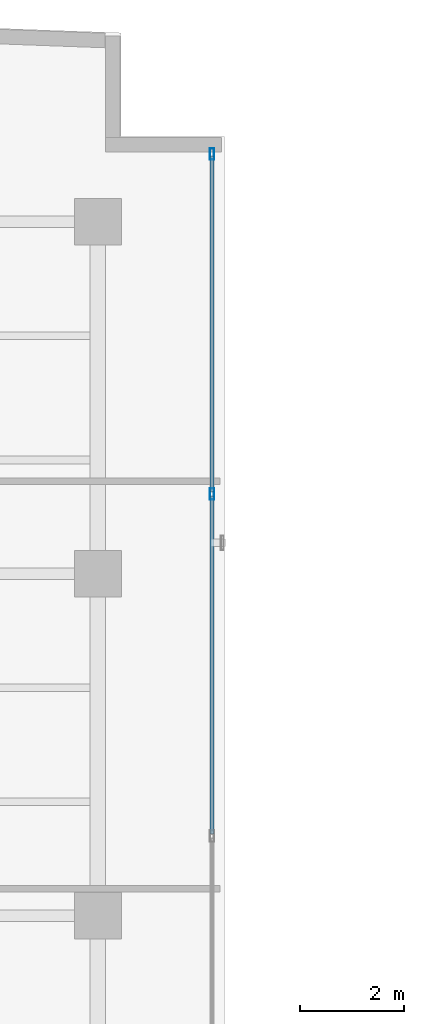
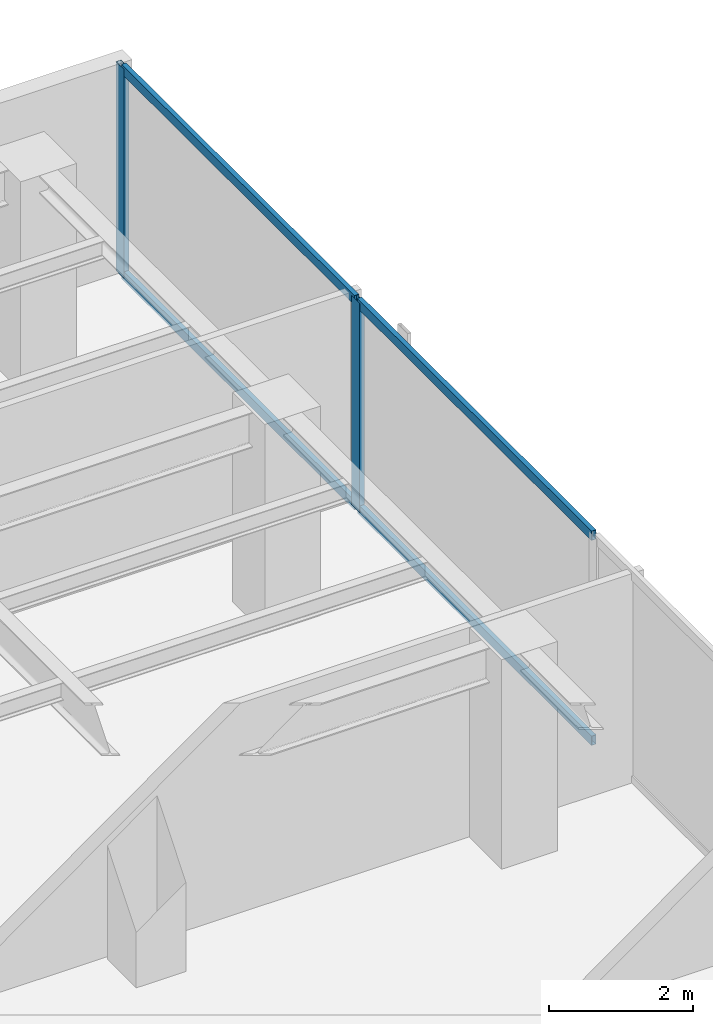
# One storey, part 14 of 23: 6 members, 1 element without a shape of its own.
"""IFC4 building model written with IfcOpenShell, lengths in metres."""

from ifc_helpers import new_model, si_unit, direction, frame, origin, origin_with_axes, origin_2d, place, context, subcontext, project, spatial, hollow_rectangle, extrude, source, transform, mapped, material, layer, layer_set, material_profile, profile_set, type_object, element, aggregate, save


model = new_model("IFC4")

# Units and contexts
model_context = context("Model", 3, precision=1e-05, world=origin(), true_north=direction((0.0, 1.0)))
body_context = subcontext(model_context, "Body", "Model", "MODEL_VIEW")
ifc_project = project(units=[si_unit("LENGTHUNIT", "METRE"), si_unit("AREAUNIT", "SQUARE_METRE"), si_unit("VOLUMEUNIT", "CUBIC_METRE"), si_unit("PLANEANGLEUNIT", "RADIAN"), si_unit("MASSUNIT", "GRAM", prefix="KILO")], contexts=[model_context])

# Site, building, storey
site_placement = place(None, origin())
site = spatial("IfcSite", under=ifc_project, at=site_placement, CompositionType="ELEMENT")
building_placement = place(site_placement, origin())
building = spatial("IfcBuilding", under=site, at=building_placement, Name="Kolvaren Waterfront Exchange", CompositionType="ELEMENT")
storey_placement = place(building_placement, frame((0.0, 0.0, 319.800048828125)))
storey = spatial("IfcBuildingStorey", under=building, at=storey_placement, Name="L82", CompositionType="ELEMENT", Elevation=319.800048828125)

# Curtain wall, members
ifc_material_1 = material(Name="Anodised bronze aluminium 6063-T6", Category="aluminium")
ifc_layer = layer(ifc_material_1, 0.219970703125, Name="Anodised bronze aluminium 6063-T6")
ifc_layer_set = layer_set([ifc_layer], Name="Anodised bronze aluminium 6063-T6")
curtain_wall_type = type_object("IfcCurtainWallType", Name="ARC-CW-SYS1", PredefinedType="USERDEFINED", material=ifc_layer_set)
curtain_wall_placement = place(storey_placement, origin())
curtain_wall = element("IfcCurtainWall", 1, at=curtain_wall_placement, inside=storey, type_object=curtain_wall_type, Name="L82 stick curtain wall CW1 (CW-L82-NE)", ObjectType="STICK CURTAIN WALL", PredefinedType="USERDEFINED")
ifc_material_2 = material(Name="Anodised aluminium 6063-T6", Category="aluminium")
ifc_material_profile_1 = material_profile(ifc_material_2, hollow_rectangle(XDim=0.080078125, YDim=0.219970703125, WallThickness=0.0048828125, at=origin_2d()), Name="ALU-MUL-220x80x5")
ifc_profile_set_1 = profile_set([ifc_material_profile_1], Name="Anodised aluminium 6063-T6")
member_type_1 = type_object("IfcMemberType", Name="ARC-CWM-220", PredefinedType="MULLION", material=ifc_profile_set_1)
shared_shape_1 = source(origin_with_axes(), body_context, "Body", "SweptSolid", [
    extrude(hollow_rectangle(XDim=0.080078125, YDim=0.219970703125, WallThickness=0.0048828125, at=origin_2d()), origin(), (0.0, 0.0, 1.0), 3.56005859375),
])
member_1_placement = place(storey_placement, frame((21.002197265625, 39.34228515625, 0.0), z_axis=(0.0, 0.0, 1.0), x_axis=(-1.0, 0.0, 0.0)))
member_1 = element("IfcMember", 2, at=member_1_placement, type_object=member_type_1, Name="CW1 mullion 3", PredefinedType="MULLION", context=body_context, shape_type="MappedRepresentation", body=[
    mapped(shared_shape_1, transform((0.0, 0.0, 0.0), x_axis=(1.0, 0.0, 0.0), y_axis=(0.0, 1.0, 0.0), z_axis=(0.0, 0.0, 1.0), scale=1.0)),
])
member_2_placement = place(storey_placement, frame((21.002197265625, 45.907470703125, 0.0), z_axis=(0.0, 0.0, 1.0), x_axis=(-1.0, 0.0, 0.0)))
member_2 = element("IfcMember", 3, at=member_2_placement, type_object=member_type_1, Name="CW1 mullion 4", PredefinedType="MULLION", context=body_context, shape_type="MappedRepresentation", body=[
    mapped(shared_shape_1, transform((0.0, 0.0, 0.0), x_axis=(1.0, 0.0, 0.0), y_axis=(0.0, 1.0, 0.0), z_axis=(0.0, 0.0, 1.0), scale=1.0)),
])
ifc_material_profile_2 = material_profile(ifc_material_2, hollow_rectangle(XDim=0.074951171875, YDim=0.159912109375, WallThickness=0.00439453125, at=origin_2d()), Name="ALU-TRN-160x75x4.5")
ifc_profile_set_2 = profile_set([ifc_material_profile_2], Name="Anodised aluminium 6063-T6")
member_type_2 = type_object("IfcMemberType", Name="ARC-CWT-160", PredefinedType="USERDEFINED", material=ifc_profile_set_2)
shared_shape_2 = source(origin_with_axes(), body_context, "Body", "SweptSolid", [
    extrude(hollow_rectangle(XDim=0.074951171875, YDim=0.159912109375, WallThickness=0.00439453125, at=origin_2d()), origin(), (0.0, 0.0, 1.0), 6.485107421875),
])
member_3_placement = place(storey_placement, frame((21.002197265625, 39.38232421875, 0.037353515625), z_axis=(0.0, 1.0, 0.0), x_axis=(-1.0, 0.0, 0.0)))
member_3 = element("IfcMember", 4, at=member_3_placement, type_object=member_type_2, Name="CW1 transom 3.1", ObjectType="TRANSOM", PredefinedType="USERDEFINED", context=body_context, shape_type="MappedRepresentation", body=[
    mapped(shared_shape_2, transform((0.0, 0.0, 0.0), x_axis=(1.0, 0.0, 0.0), y_axis=(0.0, 1.0, 0.0), z_axis=(0.0, 0.0, 1.0), scale=1.0)),
])
member_4_placement = place(storey_placement, frame((21.002197265625, 39.38232421875, 3.5224609375), z_axis=(0.0, 1.0, 0.0), x_axis=(-1.0, 0.0, 0.0)))
member_4 = element("IfcMember", 5, at=member_4_placement, type_object=member_type_2, Name="CW1 transom 3.2", ObjectType="TRANSOM", PredefinedType="USERDEFINED", context=body_context, shape_type="MappedRepresentation", body=[
    mapped(shared_shape_2, transform((0.0, 0.0, 0.0), x_axis=(1.0, 0.0, 0.0), y_axis=(0.0, 1.0, 0.0), z_axis=(0.0, 0.0, 1.0), scale=1.0)),
])
shared_shape_3 = source(origin_with_axes(), body_context, "Body", "SweptSolid", [
    extrude(hollow_rectangle(XDim=0.074951171875, YDim=0.159912109375, WallThickness=0.00439453125, at=origin_2d()), origin(), (0.0, 0.0, 1.0), 6.525146484375),
])
member_5_placement = place(storey_placement, frame((21.002197265625, 32.777099609375, 0.037353515625), z_axis=(0.0, 1.0, 0.0), x_axis=(-1.0, 0.0, 0.0)))
member_5 = element("IfcMember", 6, at=member_5_placement, type_object=member_type_2, Name="CW1 transom 2.1", ObjectType="TRANSOM", PredefinedType="USERDEFINED", context=body_context, shape_type="MappedRepresentation", body=[
    mapped(shared_shape_3, transform((0.0, 0.0, 0.0), x_axis=(1.0, 0.0, 0.0), y_axis=(0.0, 1.0, 0.0), z_axis=(0.0, 0.0, 1.0), scale=1.0)),
])
member_6_placement = place(storey_placement, frame((21.002197265625, 32.777099609375, 3.5224609375), z_axis=(0.0, 1.0, 0.0), x_axis=(-1.0, 0.0, 0.0)))
member_6 = element("IfcMember", 7, at=member_6_placement, type_object=member_type_2, Name="CW1 transom 2.2", ObjectType="TRANSOM", PredefinedType="USERDEFINED", context=body_context, shape_type="MappedRepresentation", body=[
    mapped(shared_shape_3, transform((0.0, 0.0, 0.0), x_axis=(1.0, 0.0, 0.0), y_axis=(0.0, 1.0, 0.0), z_axis=(0.0, 0.0, 1.0), scale=1.0)),
])
aggregate(curtain_wall, [member_1, member_2, member_5, member_6, member_3, member_4])

save(model, "model.ifc")
